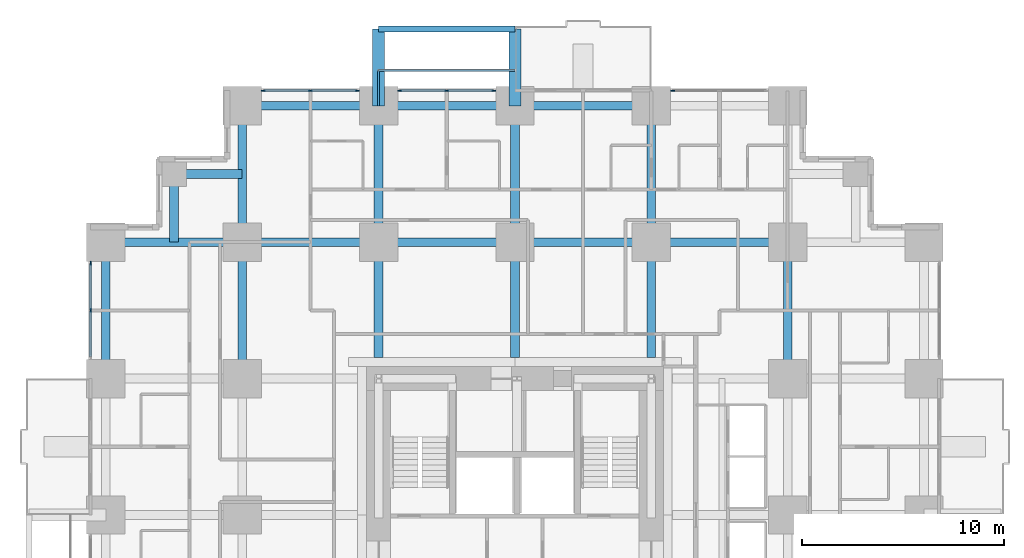
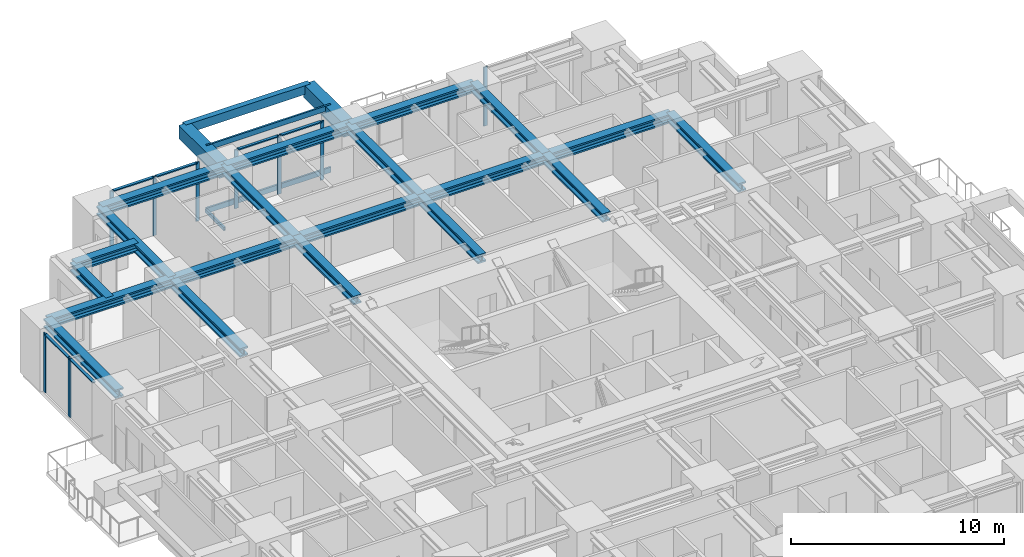
# One storey, part 5 of 14: 23 beams, 18 members, 4 elements without a shape of their own.
"""IFC4 building model written with IfcOpenShell, lengths in metres."""

from ifc_helpers import new_model, si_unit, direction, frame, origin, origin_2d, place, context, subcontext, project, spatial, rectangle, hollow_rectangle, i_section, extrude, material, material_profile, profile_set, type_object, element, aggregate, save


model = new_model("IFC4")

# Units and contexts
model_context = context("Model", 3, precision=1e-05, world=origin(), true_north=direction((0.0, 1.0)))
body_context = subcontext(model_context, "Body", "Model", "MODEL_VIEW")
ifc_project = project(units=[si_unit("LENGTHUNIT", "METRE"), si_unit("AREAUNIT", "SQUARE_METRE"), si_unit("VOLUMEUNIT", "CUBIC_METRE"), si_unit("PLANEANGLEUNIT", "RADIAN"), si_unit("MASSUNIT", "GRAM", prefix="KILO")], contexts=[model_context])

# Site, building, storey
site_placement = place(None, origin())
site = spatial("IfcSite", under=ifc_project, at=site_placement, CompositionType="ELEMENT")
building_placement = place(site_placement, origin())
building = spatial("IfcBuilding", under=site, at=building_placement, Name="Nyansa Garden Tower", CompositionType="ELEMENT")
storey_placement = place(building_placement, frame((0.0, 0.0, 28.800048828125)))
storey = spatial("IfcBuildingStorey", under=building, at=storey_placement, Name="L07", CompositionType="ELEMENT", Elevation=28.800048828125)

# Beams
ifc_material_1 = material(Name="Concrete C70/85", Category="concrete")
ifc_material_profile_1 = material_profile(ifc_material_1, rectangle(XDim=0.60009765625, YDim=0.75, at=origin_2d()), Name="RC 600x750")
ifc_profile_set_1 = profile_set([ifc_material_profile_1], Name="Concrete C70/85")
beam_type_1 = type_object("IfcBeamType", Name="Balcony cantilever beam CB1 RC 600x750", PredefinedType="BEAM", material=ifc_profile_set_1)
for number, where, z_axis, x_axis, name in (
    (1, (13.5, 40.5, 2.98486328125), (0.0, 1.0, 0.0), (-1.0, 0.0, 0.0), "Balcony cantilever beam L08"),
    (2, (20.25, 40.5, 2.98486328125), (0.0, 1.0, 0.0), (-1.0, 0.0, 0.0), "Balcony cantilever beam L08"),
):
    element("IfcBeam", number, at=place(storey_placement, frame(where, z_axis=z_axis, x_axis=x_axis)), inside=storey, type_object=beam_type_1, Name=name, PredefinedType="BEAM", context=body_context, shape_type="SweptSolid", body=[
        extrude(rectangle(XDim=0.60009765625, YDim=0.75, at=origin_2d()), origin(), (0.0, 0.0, 1.0), 3.800048828125),
    ])
ifc_material_2 = material(Name="Concrete C70/85", Category="concrete")
ifc_material_profile_2 = material_profile(ifc_material_2, rectangle(XDim=0.300048828125, YDim=0.5, at=origin_2d()), Name="RC 300x500")
ifc_profile_set_2 = profile_set([ifc_material_profile_2], Name="Concrete C70/85")
beam_type_2 = type_object("IfcBeamType", Name="Balcony edge beam BE1 RC 300x500", PredefinedType="BEAM", material=ifc_profile_set_2)
beam_1_placement = place(storey_placement, frame((13.5, 44.300048828125, 3.10986328125), z_axis=(1.0, 0.0, 0.0), x_axis=(0.0, 1.0, 0.0)))
element("IfcBeam", 3, at=beam_1_placement, inside=storey, type_object=beam_type_2, Name="Balcony edge beam L08", PredefinedType="BEAM", context=body_context, shape_type="SweptSolid", body=[
    extrude(rectangle(XDim=0.300048828125, YDim=0.5, at=origin_2d()), origin(), (0.0, 0.0, 1.0), 6.75),
])

# Curtain wall, members
ifc_material_3 = material(Name="Black anodised aluminium, dark tinted double glazing", Category="aluminium")
curtain_wall_type = type_object("IfcCurtainWallType", Name="Inner skin curtain wall ISW-A", PredefinedType="USERDEFINED", material=ifc_material_3)
curtain_wall_1_placement = place(storey_placement, origin())
curtain_wall_1 = element("IfcCurtainWall", 4, at=curtain_wall_1_placement, inside=storey, type_object=curtain_wall_type, Name="Inner skin curtain wall L07 N", ObjectType="UNITISED CURTAIN WALL", PredefinedType="USERDEFINED")
ifc_material_4 = material(Name="Black anodised aluminium", Category="aluminium")
ifc_material_profile_3 = material_profile(ifc_material_4, rectangle(XDim=0.06494140625, YDim=0.199951171875, at=origin_2d()), Name="Mullion 200x65")
ifc_profile_set_3 = profile_set([ifc_material_profile_3], Name="Black anodised aluminium")
member_type_1 = type_object("IfcMemberType", Name="Mullion ISW-A 200x65", PredefinedType="MULLION", material=ifc_profile_set_3)
member_1_placement = place(storey_placement, frame((19.199951171875, 41.25, 0.0), z_axis=(0.0, 0.0, 1.0), x_axis=(0.0, -1.0, 0.0)))
member_1 = element("IfcMember", 5, at=member_1_placement, type_object=member_type_1, Name="ISW-A mullion 1", PredefinedType="MULLION", context=body_context, shape_type="SweptSolid", body=[
    extrude(rectangle(XDim=0.06494140625, YDim=0.199951171875, at=origin_2d()), origin(), (0.0, 0.0, 1.0), 3.375),
])
member_2_placement = place(storey_placement, frame((16.875, 41.25, 0.0), z_axis=(0.0, 0.0, 1.0), x_axis=(0.0, -1.0, 0.0)))
member_2 = element("IfcMember", 6, at=member_2_placement, type_object=member_type_1, Name="ISW-A mullion 2", PredefinedType="MULLION", context=body_context, shape_type="SweptSolid", body=[
    extrude(rectangle(XDim=0.06494140625, YDim=0.199951171875, at=origin_2d()), origin(), (0.0, 0.0, 1.0), 3.375),
])
member_3_placement = place(storey_placement, frame((14.550048828125, 41.25, 0.0), z_axis=(0.0, 0.0, 1.0), x_axis=(0.0, -1.0, 0.0)))
member_3 = element("IfcMember", 7, at=member_3_placement, type_object=member_type_1, Name="ISW-A mullion 3", PredefinedType="MULLION", context=body_context, shape_type="SweptSolid", body=[
    extrude(rectangle(XDim=0.06494140625, YDim=0.199951171875, at=origin_2d()), origin(), (0.0, 0.0, 1.0), 3.375),
])

curtain_wall_2_placement = place(storey_placement, origin())
curtain_wall_2 = element("IfcCurtainWall", 8, at=curtain_wall_2_placement, inside=storey, type_object=curtain_wall_type, Name="Inner skin curtain wall L07 N", ObjectType="UNITISED CURTAIN WALL", PredefinedType="USERDEFINED")
member_4_placement = place(storey_placement, frame((12.449951171875, 41.25, 0.0), z_axis=(0.0, 0.0, 1.0), x_axis=(0.0, -1.0, 0.0)))
member_4 = element("IfcMember", 9, at=member_4_placement, type_object=member_type_1, Name="ISW-A mullion 1", PredefinedType="MULLION", context=body_context, shape_type="SweptSolid", body=[
    extrude(rectangle(XDim=0.06494140625, YDim=0.199951171875, at=origin_2d()), origin(), (0.0, 0.0, 1.0), 3.375),
])
member_5_placement = place(storey_placement, frame((10.125, 41.25, 0.0), z_axis=(0.0, 0.0, 1.0), x_axis=(0.0, -1.0, 0.0)))
member_5 = element("IfcMember", 10, at=member_5_placement, type_object=member_type_1, Name="ISW-A mullion 2", PredefinedType="MULLION", context=body_context, shape_type="SweptSolid", body=[
    extrude(rectangle(XDim=0.06494140625, YDim=0.199951171875, at=origin_2d()), origin(), (0.0, 0.0, 1.0), 3.375),
])
member_6_placement = place(storey_placement, frame((7.800048828125, 41.25, 0.0), z_axis=(0.0, 0.0, 1.0), x_axis=(0.0, -1.0, 0.0)))
member_6 = element("IfcMember", 11, at=member_6_placement, type_object=member_type_1, Name="ISW-A mullion 3", PredefinedType="MULLION", context=body_context, shape_type="SweptSolid", body=[
    extrude(rectangle(XDim=0.06494140625, YDim=0.199951171875, at=origin_2d()), origin(), (0.0, 0.0, 1.0), 3.375),
])

# Curtain wall, member
curtain_wall_3_placement = place(storey_placement, origin())
curtain_wall_3 = element("IfcCurtainWall", 12, at=curtain_wall_3_placement, inside=storey, type_object=curtain_wall_type, Name="Inner skin curtain wall L07 N", ObjectType="UNITISED CURTAIN WALL", PredefinedType="USERDEFINED")
member_7_placement = place(storey_placement, frame((28.050048828125, 41.25, 0.0), z_axis=(0.0, 0.0, 1.0), x_axis=(0.0, -1.0, 0.0)))
member_7 = element("IfcMember", 13, at=member_7_placement, type_object=member_type_1, Name="ISW-A mullion 3", PredefinedType="MULLION", context=body_context, shape_type="SweptSolid", body=[
    extrude(rectangle(XDim=0.06494140625, YDim=0.199951171875, at=origin_2d()), origin(), (0.0, 0.0, 1.0), 3.375),
])
aggregate(curtain_wall_3, [member_7])

# Curtain wall, members
curtain_wall_4_placement = place(storey_placement, origin())
curtain_wall_4 = element("IfcCurtainWall", 14, at=curtain_wall_4_placement, inside=storey, type_object=curtain_wall_type, Name="Inner skin curtain wall L07 W", ObjectType="UNITISED CURTAIN WALL", PredefinedType="USERDEFINED")
member_8_placement = place(storey_placement, frame((-0.75, 32.699951171875, 0.0), z_axis=(0.0, 0.0, 1.0), x_axis=(1.0, 0.0, 0.0)))
member_8 = element("IfcMember", 15, at=member_8_placement, type_object=member_type_1, Name="ISW-A mullion 1", PredefinedType="MULLION", context=body_context, shape_type="SweptSolid", body=[
    extrude(rectangle(XDim=0.06494140625, YDim=0.199951171875, at=origin_2d()), origin(), (0.0, 0.0, 1.0), 3.375),
])
member_9_placement = place(storey_placement, frame((-0.75, 30.375, 0.0), z_axis=(0.0, 0.0, 1.0), x_axis=(1.0, 0.0, 0.0)))
member_9 = element("IfcMember", 16, at=member_9_placement, type_object=member_type_1, Name="ISW-A mullion 2", PredefinedType="MULLION", context=body_context, shape_type="SweptSolid", body=[
    extrude(rectangle(XDim=0.06494140625, YDim=0.199951171875, at=origin_2d()), origin(), (0.0, 0.0, 1.0), 3.375),
])

# Members
ifc_material_5 = material(Name="Steel S355, black powder coated", Category="steel")
ifc_material_profile_4 = material_profile(ifc_material_5, hollow_rectangle(XDim=0.10009765625, YDim=0.199951171875, WallThickness=0.008056640625, at=origin_2d()), Name="RHS 200x100x8")
ifc_profile_set_4 = profile_set([ifc_material_profile_4], Name="Steel S355, black powder coated")
member_type_2 = type_object("IfcMemberType", Name="Outer skin bracket arm RHS 200x100x8", PredefinedType="USERDEFINED", material=ifc_profile_set_4)
member_10_placement = place(storey_placement, frame((13.5, 40.5, -0.375), z_axis=(0.0, 1.0, 0.0), x_axis=(-1.0, 0.0, 0.0)))
element("IfcMember", 17, at=member_10_placement, inside=storey, type_object=member_type_2, Name="Outer skin bracket arm", ObjectType="OUTER SKIN BRACKET", PredefinedType="USERDEFINED", context=body_context, shape_type="SweptSolid", body=[
    extrude(hollow_rectangle(XDim=0.10009765625, YDim=0.199951171875, WallThickness=0.008056640625, at=origin_2d()), origin(), (0.0, 0.0, 1.0), 1.75),
])
ifc_material_6 = material(Name="Steel S355, black powder coated", Category="steel")
ifc_material_profile_5 = material_profile(ifc_material_6, hollow_rectangle(XDim=0.10009765625, YDim=0.300048828125, WallThickness=0.010009765625, at=origin_2d()), Name="RHS 300x100x10")
ifc_profile_set_5 = profile_set([ifc_material_profile_5], Name="Steel S355, black powder coated")
member_type_3 = type_object("IfcMemberType", Name="Outer skin rail RHS 300x100x10", PredefinedType="USERDEFINED", material=ifc_profile_set_5)
for number, where, z_axis, x_axis, name in (
    (18, (13.5, 42.25, -0.375), (1.0, 0.0, 0.0), (0.0, 1.0, 0.0), "Outer skin rail L07"),
    (19, (13.5, 42.25, 3.224853515625), (1.0, 0.0, 0.0), (0.0, 1.0, 0.0), "Outer skin rail L07 head"),
):
    element("IfcMember", number, at=place(storey_placement, frame(where, z_axis=z_axis, x_axis=x_axis)), inside=storey, type_object=member_type_3, Name=name, ObjectType="OUTER SKIN RAIL", PredefinedType="USERDEFINED", context=body_context, shape_type="SweptSolid", body=[
        extrude(hollow_rectangle(XDim=0.10009765625, YDim=0.300048828125, WallThickness=0.010009765625, at=origin_2d()), origin(), (0.0, 0.0, 1.0), 6.75),
    ])

# Beams
ifc_material_7 = material(Name="Steel S355", Category="steel")
ifc_material_profile_6 = material_profile(ifc_material_7, i_section(OverallWidth=0.431884765625, OverallDepth=0.498046875, WebThickness=0.0556640625, FlangeThickness=0.0888671875, FilletRadius=0.014892578125, at=origin_2d()), Name="HD 400x744")
ifc_profile_set_6 = profile_set([ifc_material_profile_6], Name="Steel S355")
beam_type_3 = type_object("IfcBeamType", Name="Steel beam SBA1-744 HD 400x744", PredefinedType="BEAM", material=ifc_profile_set_6)
for number, where, z_axis, x_axis, name in (
    (20, (0.0, 33.75, 3.1259765625), (1.0, 0.0, 0.0), (0.0, 1.0, 0.0), "Steel beam 2/J-3/J L08"),
    (21, (6.75, 27.0, 3.1259765625), (0.0, 1.0, 0.0), (-1.0, 0.0, 0.0), "Steel beam 3/H-3/J L08"),
    (22, (6.75, 33.75, 3.1259765625), (0.0, 1.0, 0.0), (-1.0, 0.0, 0.0), "Steel beam 3/J-3/K L08"),
    (23, (6.75, 33.75, 3.1259765625), (1.0, 0.0, 0.0), (0.0, 1.0, 0.0), "Steel beam 3/J-4/J L08"),
):
    element("IfcBeam", number, at=place(storey_placement, frame(where, z_axis=z_axis, x_axis=x_axis)), inside=storey, type_object=beam_type_3, Name=name, PredefinedType="BEAM", context=body_context, shape_type="SweptSolid", body=[
        extrude(i_section(OverallWidth=0.431884765625, OverallDepth=0.498046875, WebThickness=0.0556640625, FlangeThickness=0.0888671875, FilletRadius=0.014892578125, at=origin_2d()), origin(), (0.0, 0.0, 1.0), 6.75),
    ])
beam_2_placement = place(storey_placement, frame((13.5, 28.050048828125, 3.1259765625), z_axis=(0.0, 1.0, 0.0), x_axis=(-1.0, 0.0, 0.0)))
element("IfcBeam", 24, at=beam_2_placement, inside=storey, type_object=beam_type_3, Name="Steel beam 4/28.050-4/J L08", PredefinedType="BEAM", context=body_context, shape_type="SweptSolid", body=[
    extrude(i_section(OverallWidth=0.431884765625, OverallDepth=0.498046875, WebThickness=0.0556640625, FlangeThickness=0.0888671875, FilletRadius=0.014892578125, at=origin_2d()), origin(), (0.0, 0.0, 1.0), 5.699951171875),
])
for number, where, z_axis, x_axis, name in (
    (25, (13.5, 33.75, 3.1259765625), (0.0, 1.0, 0.0), (-1.0, 0.0, 0.0), "Steel beam 4/J-4/K L08"),
    (26, (13.5, 33.75, 3.1259765625), (1.0, 0.0, 0.0), (0.0, 1.0, 0.0), "Steel beam 4/J-5/J L08"),
):
    element("IfcBeam", number, at=place(storey_placement, frame(where, z_axis=z_axis, x_axis=x_axis)), inside=storey, type_object=beam_type_3, Name=name, PredefinedType="BEAM", context=body_context, shape_type="SweptSolid", body=[
        extrude(i_section(OverallWidth=0.431884765625, OverallDepth=0.498046875, WebThickness=0.0556640625, FlangeThickness=0.0888671875, FilletRadius=0.014892578125, at=origin_2d()), origin(), (0.0, 0.0, 1.0), 6.75),
    ])
beam_3_placement = place(storey_placement, frame((20.25, 28.050048828125, 3.1259765625), z_axis=(0.0, 1.0, 0.0), x_axis=(-1.0, 0.0, 0.0)))
element("IfcBeam", 27, at=beam_3_placement, inside=storey, type_object=beam_type_3, Name="Steel beam 5/28.050-5/J L08", PredefinedType="BEAM", context=body_context, shape_type="SweptSolid", body=[
    extrude(i_section(OverallWidth=0.431884765625, OverallDepth=0.498046875, WebThickness=0.0556640625, FlangeThickness=0.0888671875, FilletRadius=0.014892578125, at=origin_2d()), origin(), (0.0, 0.0, 1.0), 5.699951171875),
])
for number, where, z_axis, x_axis, name in (
    (28, (20.25, 33.75, 3.1259765625), (0.0, 1.0, 0.0), (-1.0, 0.0, 0.0), "Steel beam 5/J-5/K L08"),
    (29, (20.25, 33.75, 3.1259765625), (1.0, 0.0, 0.0), (0.0, 1.0, 0.0), "Steel beam 5/J-6/J L08"),
):
    element("IfcBeam", number, at=place(storey_placement, frame(where, z_axis=z_axis, x_axis=x_axis)), inside=storey, type_object=beam_type_3, Name=name, PredefinedType="BEAM", context=body_context, shape_type="SweptSolid", body=[
        extrude(i_section(OverallWidth=0.431884765625, OverallDepth=0.498046875, WebThickness=0.0556640625, FlangeThickness=0.0888671875, FilletRadius=0.014892578125, at=origin_2d()), origin(), (0.0, 0.0, 1.0), 6.75),
    ])
beam_4_placement = place(storey_placement, frame((27.0, 28.050048828125, 3.1259765625), z_axis=(0.0, 1.0, 0.0), x_axis=(-1.0, 0.0, 0.0)))
element("IfcBeam", 30, at=beam_4_placement, inside=storey, type_object=beam_type_3, Name="Steel beam 6/28.050-6/J L08", PredefinedType="BEAM", context=body_context, shape_type="SweptSolid", body=[
    extrude(i_section(OverallWidth=0.431884765625, OverallDepth=0.498046875, WebThickness=0.0556640625, FlangeThickness=0.0888671875, FilletRadius=0.014892578125, at=origin_2d()), origin(), (0.0, 0.0, 1.0), 5.699951171875),
])
for number, where, z_axis, x_axis, name in (
    (31, (27.0, 33.75, 3.1259765625), (0.0, 1.0, 0.0), (-1.0, 0.0, 0.0), "Steel beam 6/J-6/K L08"),
    (32, (27.0, 33.75, 3.1259765625), (1.0, 0.0, 0.0), (0.0, 1.0, 0.0), "Steel beam 6/J-7/J L08"),
    (33, (33.75, 27.0, 3.1259765625), (0.0, 1.0, 0.0), (-1.0, 0.0, 0.0), "Steel beam 7/H-7/J L08"),
):
    element("IfcBeam", number, at=place(storey_placement, frame(where, z_axis=z_axis, x_axis=x_axis)), inside=storey, type_object=beam_type_3, Name=name, PredefinedType="BEAM", context=body_context, shape_type="SweptSolid", body=[
        extrude(i_section(OverallWidth=0.431884765625, OverallDepth=0.498046875, WebThickness=0.0556640625, FlangeThickness=0.0888671875, FilletRadius=0.014892578125, at=origin_2d()), origin(), (0.0, 0.0, 1.0), 6.75),
    ])
ifc_material_8 = material(Name="Steel S355", Category="steel")
ifc_material_profile_7 = material_profile(ifc_material_8, i_section(OverallWidth=0.431884765625, OverallDepth=0.498046875, WebThickness=0.0556640625, FlangeThickness=0.0888671875, FilletRadius=0.014892578125, at=origin_2d()), Name="HD 400x744")
ifc_profile_set_7 = profile_set([ifc_material_profile_7], Name="Steel S355")
beam_type_4 = type_object("IfcBeamType", Name="Steel beam SEBA-744 HD 400x744", PredefinedType="BEAM", material=ifc_profile_set_7)
for number, where, z_axis, x_axis, name in (
    (34, (0.0, 27.0, 3.1259765625), (0.0, 1.0, 0.0), (-1.0, 0.0, 0.0), "Steel edge beam 2/H-2/J L08"),
    (35, (6.75, 40.5, 3.1259765625), (1.0, 0.0, 0.0), (0.0, 1.0, 0.0), "Steel edge beam 3/K-4/K L08"),
    (36, (13.5, 40.5, 3.1259765625), (1.0, 0.0, 0.0), (0.0, 1.0, 0.0), "Steel edge beam 4/K-5/K L08"),
    (37, (20.25, 40.5, 3.1259765625), (1.0, 0.0, 0.0), (0.0, 1.0, 0.0), "Steel edge beam 5/K-6/K L08"),
):
    element("IfcBeam", number, at=place(storey_placement, frame(where, z_axis=z_axis, x_axis=x_axis)), inside=storey, type_object=beam_type_4, Name=name, PredefinedType="BEAM", context=body_context, shape_type="SweptSolid", body=[
        extrude(i_section(OverallWidth=0.431884765625, OverallDepth=0.498046875, WebThickness=0.0556640625, FlangeThickness=0.0888671875, FilletRadius=0.014892578125, at=origin_2d()), origin(), (0.0, 0.0, 1.0), 6.75),
    ])
ifc_material_9 = material(Name="Steel S355", Category="steel")
ifc_material_profile_8 = material_profile(ifc_material_9, i_section(OverallWidth=0.431884765625, OverallDepth=0.498046875, WebThickness=0.0556640625, FlangeThickness=0.0888671875, FilletRadius=0.014892578125, at=origin_2d()), Name="HD 400x744")
ifc_profile_set_8 = profile_set([ifc_material_profile_8], Name="Steel S355")
beam_type_5 = type_object("IfcBeamType", Name="Steel beam SSB1-744 HD 400x744", PredefinedType="BEAM", material=ifc_profile_set_8)
for number, where, z_axis, x_axis, name in (
    (38, (3.375, 37.125, 3.1259765625), (0.0, -1.0, 0.0), (1.0, 0.0, 0.0), "Steel step beam 3.375/37.125 L08"),
    (39, (3.375, 37.125, 3.1259765625), (1.0, 0.0, 0.0), (0.0, 1.0, 0.0), "Steel step beam 3.375/37.125 L08"),
):
    element("IfcBeam", number, at=place(storey_placement, frame(where, z_axis=z_axis, x_axis=x_axis)), inside=storey, type_object=beam_type_5, Name=name, PredefinedType="BEAM", context=body_context, shape_type="SweptSolid", body=[
        extrude(i_section(OverallWidth=0.431884765625, OverallDepth=0.498046875, WebThickness=0.0556640625, FlangeThickness=0.0888671875, FilletRadius=0.014892578125, at=origin_2d()), origin(), (0.0, 0.0, 1.0), 3.375),
    ])

# Member
ifc_material_10 = material(Name="Black anodised aluminium", Category="aluminium")
ifc_material_profile_9 = material_profile(ifc_material_10, rectangle(XDim=0.14990234375, YDim=0.06494140625, at=origin_2d()), Name="Transom 150x65")
ifc_profile_set_9 = profile_set([ifc_material_profile_9], Name="Black anodised aluminium")
member_type_4 = type_object("IfcMemberType", Name="Transom ISW-A 150x65", PredefinedType="USERDEFINED", material=ifc_profile_set_9)
member_11_placement = place(storey_placement, frame((19.16748046875, 41.25, 3.342529296875), z_axis=(-1.0, 0.0, 0.0), x_axis=(0.0, -1.0, 0.0)))
member_11 = element("IfcMember", 40, at=member_11_placement, type_object=member_type_4, Name="ISW-A transom 1", ObjectType="TRANSOM", PredefinedType="USERDEFINED", context=body_context, shape_type="SweptSolid", body=[
    extrude(rectangle(XDim=0.14990234375, YDim=0.06494140625, at=origin_2d()), origin(), (0.0, 0.0, 1.0), 2.260009765625),
])

member_12_placement = place(storey_placement, frame((16.842529296875, 41.25, 3.342529296875), z_axis=(-1.0, 0.0, 0.0), x_axis=(0.0, -1.0, 0.0)))
member_12 = element("IfcMember", 41, at=member_12_placement, type_object=member_type_4, Name="ISW-A transom 2", ObjectType="TRANSOM", PredefinedType="USERDEFINED", context=body_context, shape_type="SweptSolid", body=[
    extrude(rectangle(XDim=0.14990234375, YDim=0.06494140625, at=origin_2d()), origin(), (0.0, 0.0, 1.0), 2.260009765625),
])

aggregate(curtain_wall_1, [member_1, member_2, member_3, member_11, member_12])

member_13_placement = place(storey_placement, frame((12.41748046875, 41.25, 3.342529296875), z_axis=(-1.0, 0.0, 0.0), x_axis=(0.0, -1.0, 0.0)))
member_13 = element("IfcMember", 42, at=member_13_placement, type_object=member_type_4, Name="ISW-A transom 1", ObjectType="TRANSOM", PredefinedType="USERDEFINED", context=body_context, shape_type="SweptSolid", body=[
    extrude(rectangle(XDim=0.14990234375, YDim=0.06494140625, at=origin_2d()), origin(), (0.0, 0.0, 1.0), 2.260009765625),
])

member_14_placement = place(storey_placement, frame((10.092529296875, 41.25, 3.342529296875), z_axis=(-1.0, 0.0, 0.0), x_axis=(0.0, -1.0, 0.0)))
member_14 = element("IfcMember", 43, at=member_14_placement, type_object=member_type_4, Name="ISW-A transom 2", ObjectType="TRANSOM", PredefinedType="USERDEFINED", context=body_context, shape_type="SweptSolid", body=[
    extrude(rectangle(XDim=0.14990234375, YDim=0.06494140625, at=origin_2d()), origin(), (0.0, 0.0, 1.0), 2.260009765625),
])

aggregate(curtain_wall_2, [member_4, member_5, member_6, member_13, member_14])

member_15_placement = place(storey_placement, frame((-0.75, 32.66748046875, 3.342529296875), z_axis=(0.0, -1.0, 0.0), x_axis=(1.0, 0.0, 0.0)))
member_15 = element("IfcMember", 44, at=member_15_placement, type_object=member_type_4, Name="ISW-A transom 1", ObjectType="TRANSOM", PredefinedType="USERDEFINED", context=body_context, shape_type="SweptSolid", body=[
    extrude(rectangle(XDim=0.14990234375, YDim=0.06494140625, at=origin_2d()), origin(), (0.0, 0.0, 1.0), 2.260009765625),
])

member_16_placement = place(storey_placement, frame((-0.75, 30.342529296875, 3.342529296875), z_axis=(0.0, -1.0, 0.0), x_axis=(1.0, 0.0, 0.0)))
member_16 = element("IfcMember", 45, at=member_16_placement, type_object=member_type_4, Name="ISW-A transom 2", ObjectType="TRANSOM", PredefinedType="USERDEFINED", context=body_context, shape_type="SweptSolid", body=[
    extrude(rectangle(XDim=0.14990234375, YDim=0.06494140625, at=origin_2d()), origin(), (0.0, 0.0, 1.0), 2.260009765625),
])

aggregate(curtain_wall_4, [member_8, member_9, member_15, member_16])

save(model, "model.ifc")
